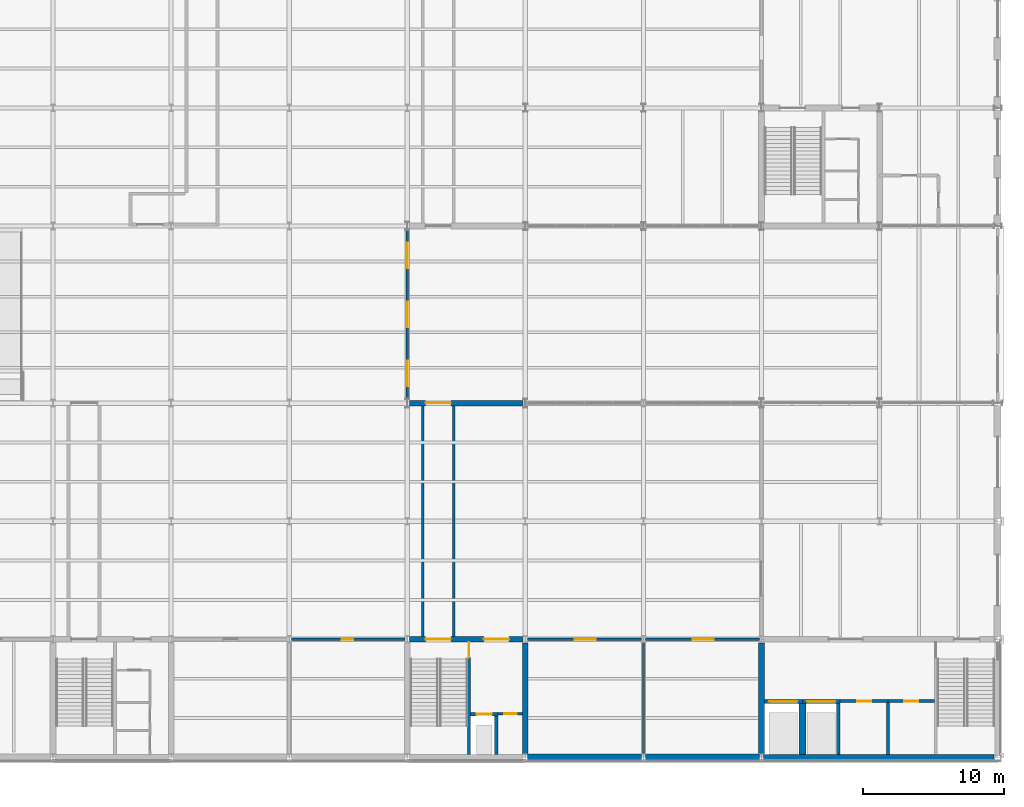
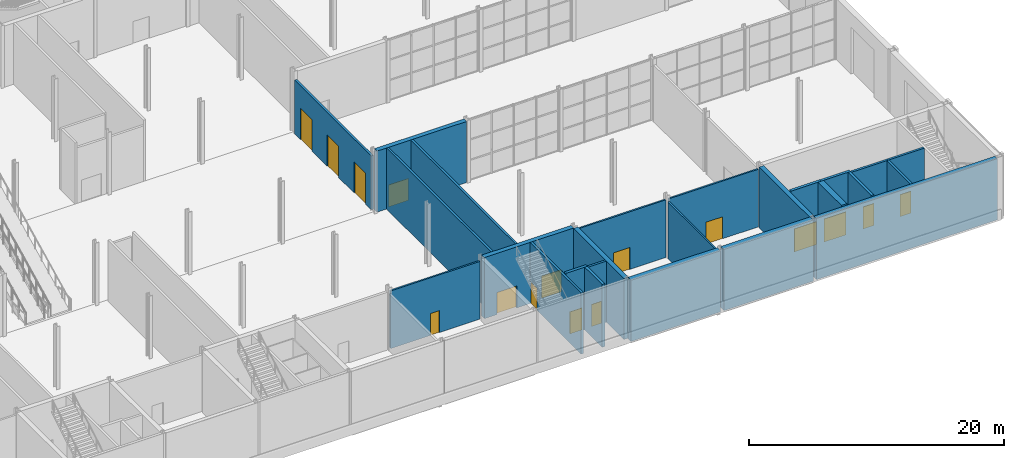
# One storey, part 34 of 55: 25 walls, 16 doors, 16 openings.
"""IFC4 building model written with IfcOpenShell, lengths in metres."""

import ifcopenshell
import ifcopenshell.guid

model = None  # the IFC model being written
_history = None  # IfcOwnerHistory: only IFC2X3 demands one
_inside = {}  # id of a spatial element -> (the spatial element, [elements in it])
_under = {}  # id of a project, library or spatial element -> (it, [spatial elements below it])
_declared = {}  # id of a project -> (the project, [libraries it declares])
_typed = {}  # id of a type object -> (the type object, [elements of that type])
_made_of = {}  # id of a material, layer set ... -> (it, [elements and type objects made of it])


def new_model(schema):
    """Start an empty IFC model of exactly this schema.

    Asked for "IFC4X3", IfcOpenShell would pick the latest addendum, in which some entities
    have other attributes; the version numbers below select the first issue.
    IFC2X3 requires an IfcOwnerHistory on every rooted entity: one is made here for all.
    """
    global model, _history
    if schema == "IFC4X3":
        model = ifcopenshell.file(schema_version=(4, 3, 0, 0))
    else:
        model = ifcopenshell.file(schema=schema)
    _inside.clear()
    _under.clear()
    _declared.clear()
    _typed.clear()
    _made_of.clear()
    _history = None
    if model.schema == "IFC2X3":
        org = make("IfcOrganization", Name="unknown")
        user = make(
            "IfcPersonAndOrganization",
            ThePerson=make("IfcPerson", FamilyName="unknown"),
            TheOrganization=org,
        )
        app = make(
            "IfcApplication",
            ApplicationDeveloper=org,
            Version="unknown",
            ApplicationFullName="unknown",
            ApplicationIdentifier="unknown",
        )
        _history = make(
            "IfcOwnerHistory",
            OwningUser=user,
            OwningApplication=app,
            ChangeAction="ADDED",
            CreationDate=0,
        )
    return model


def make(cls, **values):
    """One entity of the class cls with the attributes given. An attribute that is None is left unset."""
    return model.create_entity(
        cls, **{name: value for name, value in values.items() if value is not None}
    )


def rooted(cls, **values):
    """An entity with a GlobalId (a new one), such as an element, a storey or a relation."""
    return make(cls, GlobalId=ifcopenshell.guid.new(), OwnerHistory=_history, **values)


def si_unit(unit_type, name, prefix=None):
    """IfcSIUnit, for example si_unit("LENGTHUNIT", "METRE", prefix="MILLI")."""
    return make("IfcSIUnit", UnitType=unit_type, Prefix=prefix, Name=name)


def assignment(units):
    """IfcUnitAssignment: the units of a project."""
    return None if units is None else make("IfcUnitAssignment", Units=units)


def point(xyz):
    """IfcCartesianPoint."""
    return None if xyz is None else make("IfcCartesianPoint", Coordinates=xyz)


def direction(xyz):
    """IfcDirection."""
    return None if xyz is None else make("IfcDirection", DirectionRatios=xyz)


def frame(location, z_axis=None, x_axis=None):
    """IfcAxis2Placement3D, a coordinate frame: its origin and axes. An axis left out is left unset."""
    return make(
        "IfcAxis2Placement3D",
        Location=point(location),
        Axis=direction(z_axis),
        RefDirection=direction(x_axis),
    )


def frame_2d(location, x_axis=None):
    """IfcAxis2Placement2D, a coordinate frame in the plane: its origin and x axis."""
    return make(
        "IfcAxis2Placement2D", Location=point(location), RefDirection=direction(x_axis)
    )


def origin():
    """The frame at (0, 0, 0) with its axes left unset."""
    return frame((0.0, 0.0, 0.0))


def place(relative_to, where):
    """IfcLocalPlacement: puts the frame where relative to a parent placement (None: the world)."""
    return make(
        "IfcLocalPlacement", PlacementRelTo=relative_to, RelativePlacement=where
    )


def context(
    kind, dimensions, precision=None, world=None, true_north=None, identifier=None
):
    """IfcGeometricRepresentationContext, for example the 3D "Model" context."""
    return make(
        "IfcGeometricRepresentationContext",
        ContextIdentifier=identifier,
        ContextType=kind,
        CoordinateSpaceDimension=dimensions,
        Precision=precision,
        WorldCoordinateSystem=world,
        TrueNorth=true_north,
    )


def subcontext(parent, identifier, kind, view, scale=None):
    """IfcGeometricRepresentationSubContext, for example "Body" below "Model"."""
    return make(
        "IfcGeometricRepresentationSubContext",
        ContextIdentifier=identifier,
        ContextType=kind,
        ParentContext=parent,
        TargetScale=scale,
        TargetView=view,
    )


def project(units=None, contexts=None):
    """IfcProject with its units and contexts."""
    return rooted(
        "IfcProject",
        Name="project",
        RepresentationContexts=contexts,
        UnitsInContext=assignment(units),
    )


def spatial(cls, under=None, at=None, **own):
    """A site, building, storey or space (cls), placed at a placement, below another one or the project."""
    s = rooted(cls, ObjectPlacement=at, **own)
    if under is not None:
        _under.setdefault(under.id(), (under, []))[1].append(s)
    return s


def profile(cls, at=None, kind="AREA", **sizes):
    """A parametric profile (cls). Its sizes go by their IFC names, for example OverallWidth=200.0."""
    return make(cls, ProfileType=kind, Position=at, **sizes)


def rectangle(**sizes):
    """IfcRectangleProfileDef."""
    return profile("IfcRectangleProfileDef", **sizes)


def extrude(swept, where, along, depth):
    """IfcExtrudedAreaSolid: the profile swept, set in the frame where, extruded along a direction by depth."""
    return make(
        "IfcExtrudedAreaSolid",
        SweptArea=swept,
        Position=where,
        ExtrudedDirection=direction(along),
        Depth=depth,
    )


def shape(context_of_items, identifier, shape_type, items):
    """IfcShapeRepresentation: the items that make up one representation, for example the "Body"."""
    return make(
        "IfcShapeRepresentation",
        ContextOfItems=context_of_items,
        RepresentationIdentifier=identifier,
        RepresentationType=shape_type,
        Items=items,
    )


def material(Name=None, Category=None):
    """IfcMaterial."""
    return make("IfcMaterial", Name=Name, Category=Category)


def layer(
    of_material, thickness, ventilated=None, Name=None, Category=None, Priority=None
):
    """IfcMaterialLayer: one layer of a wall or slab, of a material (None: an air gap)."""
    return make(
        "IfcMaterialLayer",
        Material=of_material,
        LayerThickness=thickness,
        IsVentilated=ventilated,
        Name=Name,
        Category=Category,
        Priority=Priority,
    )


def layer_set(layers, Name=None):
    """IfcMaterialLayerSet."""
    return make("IfcMaterialLayerSet", MaterialLayers=layers, LayerSetName=Name)


def made_of(thing, what):
    """Note that an element or type object is made of a material, layer set ...; save() writes the relation."""
    if what is not None:
        _made_of.setdefault(what.id(), (what, []))[1].append(thing)
    return thing


def type_object(cls, material=None, **own):
    """A type object (cls), such as IfcWallType, which elements share."""
    return made_of(rooted(cls, **own), material)


def element(
    cls,
    number,
    at=None,
    inside=None,
    cuts=None,
    type_object=None,
    material=None,
    context=None,
    identifier="Body",
    shape_type=None,
    held_by="IfcProductDefinitionShape",
    body=None,
    shapes=None,
    **own,
):
    """One element of the class cls, such as IfcWall. Its Tag is "e" and its number.

    at: its placement. inside: the storey or other place that contains it. cuts: it is an
    opening in that element (IfcRelVoidsElement). A single representation is given by context,
    identifier, shape_type and body (its items); several are given by shapes. held_by: the class
    of the entity that holds the representations. save() writes the other relations.
    """
    e = rooted(cls, Tag="e%d" % number, ObjectPlacement=at, **own)
    if body is not None:
        shapes = [shape(context, identifier, shape_type, body)]
    if shapes is not None:
        e.Representation = make(held_by, Representations=shapes)
    if inside is not None:
        _inside.setdefault(inside.id(), (inside, []))[1].append(e)
    if cuts is not None:
        rooted(
            "IfcRelVoidsElement", RelatingBuildingElement=cuts, RelatedOpeningElement=e
        )
    if type_object is not None:
        _typed.setdefault(type_object.id(), (type_object, []))[1].append(e)
    return made_of(e, material)


def fill(opening, filler):
    """IfcRelFillsElement: the door or window that sits in an opening."""
    return rooted(
        "IfcRelFillsElement",
        RelatingOpeningElement=opening,
        RelatedBuildingElement=filler,
    )


def aggregate(whole, parts):
    """IfcRelAggregates: a whole, such as a stair, and the parts it consists of."""
    return rooted("IfcRelAggregates", RelatingObject=whole, RelatedObjects=parts)


def save(model, path):
    """Write the relations noted so far, then the file.

    IfcRelAggregates (storeys below a building ...), IfcRelContainedInSpatialStructure (elements
    in a storey), IfcRelDefinesByType, IfcRelAssociatesMaterial and IfcRelDeclares: one each for
    every whole, place, type object, material and project.
    """
    for whole, parts in _under.values():
        aggregate(whole, parts)
    for where, things in _inside.values():
        rooted(
            "IfcRelContainedInSpatialStructure",
            RelatedElements=things,
            RelatingStructure=where,
        )
    for kind, things in _typed.values():
        rooted("IfcRelDefinesByType", RelatedObjects=things, RelatingType=kind)
    for what, things in _made_of.values():
        rooted("IfcRelAssociatesMaterial", RelatedObjects=things, RelatingMaterial=what)
    for by, libraries in _declared.values():
        rooted("IfcRelDeclares", RelatingContext=by, RelatedDefinitions=libraries)
    model.write(path)


model = new_model("IFC4")

# Units and contexts
model_context = context("Model", 3, precision=1e-05, world=origin(), true_north=direction((0.0, 1.0)))
body_context = subcontext(model_context, "Body", "Model", "MODEL_VIEW")
ifc_project = project(units=[si_unit("LENGTHUNIT", "METRE"), si_unit("AREAUNIT", "SQUARE_METRE"), si_unit("VOLUMEUNIT", "CUBIC_METRE"), si_unit("PLANEANGLEUNIT", "RADIAN"), si_unit("MASSUNIT", "GRAM", prefix="KILO")], contexts=[model_context])

# Site, building, storey
site_placement = place(None, origin())
site = spatial("IfcSite", under=ifc_project, at=site_placement, CompositionType="ELEMENT")
building_placement = place(site_placement, origin())
building = spatial("IfcBuilding", under=site, at=building_placement, Name="Galleria Vessillo Department Store", CompositionType="ELEMENT")
storey_placement = place(building_placement, origin())
storey = spatial("IfcBuildingStorey", under=building, at=storey_placement, Name="L00", CompositionType="ELEMENT", Elevation=0.0)

# Wall, openings, doors
ifc_material_1 = material(Name="Aluminium frame with laminated glass 44.2", Category="aluminium")
ifc_layer_1 = layer(ifc_material_1, 0.199951171875)
ifc_layer_set_1 = layer_set([ifc_layer_1], Name="Aluminium frame with laminated glass 44.2")
wall_type_1 = type_object("IfcWallType", Name="Glazed screen frame wall 200 mm, internal", PredefinedType="STANDARD", material=ifc_layer_set_1)
wall_1_placement = place(storey_placement, frame((75.60009765625, 25.510009765625, 0.0), z_axis=(0.0, 0.0, 1.0), x_axis=(0.0, 1.0, 0.0)))
wall_1 = element("IfcWall", 1, at=wall_1_placement, inside=storey, type_object=wall_type_1, Name="Glazed screen frame wall 200 mm SCR-AE-L00-01", PredefinedType="STANDARD", context=body_context, shape_type="SweptSolid", body=[
    extrude(rectangle(XDim=11.97998046875, YDim=0.199951171875, at=frame_2d((5.989990234375, 0.0))), origin(), (0.0, 0.0, 1.0), 5.16015625),
])
opening_1_placement = place(wall_1_placement, frame((0.89013671875, 0.0, 0.0)))
opening_1 = element("IfcOpeningElement", 2, at=opening_1_placement, cuts=wall_1, Name="Opening DA-E1", PredefinedType="OPENING", context=body_context, shape_type="SweptSolid", body=[
    extrude(rectangle(XDim=1.800048828125, YDim=3.0, at=frame_2d((0.89990234375, 1.5))), frame((0.0, 0.10986328125, 0.0), z_axis=(0.0, -1.0, 0.0), x_axis=(1.0, 0.0, 0.0)), (0.0, 0.0, 1.0), 0.219970703125),
])
opening_2_placement = place(wall_1_placement, frame((5.090087890625, 0.0, 0.0)))
opening_2 = element("IfcOpeningElement", 3, at=opening_2_placement, cuts=wall_1, Name="Opening DA-E2", PredefinedType="OPENING", context=body_context, shape_type="SweptSolid", body=[
    extrude(rectangle(XDim=1.800048828125, YDim=3.0, at=frame_2d((0.89990234375, 1.5))), frame((0.0, 0.10986328125, 0.0), z_axis=(0.0, -1.0, 0.0), x_axis=(1.0, 0.0, 0.0)), (0.0, 0.0, 1.0), 0.219970703125),
])
opening_3_placement = place(wall_1_placement, frame((9.2900390625, 0.0, 0.0)))
opening_3 = element("IfcOpeningElement", 4, at=opening_3_placement, cuts=wall_1, Name="Opening DA-E3", PredefinedType="OPENING", context=body_context, shape_type="SweptSolid", body=[
    extrude(rectangle(XDim=1.800048828125, YDim=3.0, at=frame_2d((0.89990234375, 1.5))), frame((0.0, 0.10986328125, 0.0), z_axis=(0.0, -1.0, 0.0), x_axis=(1.0, 0.0, 0.0)), (0.0, 0.0, 1.0), 0.219970703125),
])
ifc_material_2 = material(Name="Aluminium frame with laminated glass 44.2", Category="aluminium")
door_type_1 = type_object("IfcDoorType", Name="Glazed double screen door 1800 x 3000", OperationType="DOUBLE_DOOR_SINGLE_SWING", PredefinedType="DOOR", material=ifc_material_2)
door_1_placement = place(opening_1_placement, origin())
door_1 = element("IfcDoor", 5, at=door_1_placement, inside=storey, type_object=door_type_1, Name="Glazed double screen door 1800 x 3000 DA-E1", OperationType="DOUBLE_DOOR_SINGLE_SWING", OverallHeight=3.0, OverallWidth=1.800048828125, PredefinedType="DOOR", context=body_context, shape_type="SweptSolid", body=[
    extrude(rectangle(XDim=1.800048828125, YDim=3.0, at=frame_2d((0.89990234375, 1.5))), frame((0.0, 0.02490234375, 0.0), z_axis=(0.0, -1.0, 0.0), x_axis=(1.0, 0.0, 0.0)), (0.0, 0.0, 1.0), 0.050048828125),
])
fill(opening_1, door_1)
door_2_placement = place(opening_2_placement, origin())
door_2 = element("IfcDoor", 6, at=door_2_placement, inside=storey, type_object=door_type_1, Name="Glazed double screen door 1800 x 3000 DA-E2", OperationType="DOUBLE_DOOR_SINGLE_SWING", OverallHeight=3.0, OverallWidth=1.800048828125, PredefinedType="DOOR", context=body_context, shape_type="SweptSolid", body=[
    extrude(rectangle(XDim=1.800048828125, YDim=3.0, at=frame_2d((0.89990234375, 1.5))), frame((0.0, 0.02490234375, 0.0), z_axis=(0.0, -1.0, 0.0), x_axis=(1.0, 0.0, 0.0)), (0.0, 0.0, 1.0), 0.050048828125),
])
fill(opening_2, door_2)
door_3_placement = place(opening_3_placement, origin())
door_3 = element("IfcDoor", 7, at=door_3_placement, inside=storey, type_object=door_type_1, Name="Glazed double screen door 1800 x 3000 DA-E3", OperationType="DOUBLE_DOOR_SINGLE_SWING", OverallHeight=3.0, OverallWidth=1.800048828125, PredefinedType="DOOR", context=body_context, shape_type="SweptSolid", body=[
    extrude(rectangle(XDim=1.800048828125, YDim=3.0, at=frame_2d((0.89990234375, 1.5))), frame((0.0, 0.02490234375, 0.0), z_axis=(0.0, -1.0, 0.0), x_axis=(1.0, 0.0, 0.0)), (0.0, 0.0, 1.0), 0.050048828125),
])
fill(opening_3, door_3)

# Wall
ifc_material_3 = material(Name="Solid clay block masonry", Category="masonry")
ifc_layer_2 = layer(ifc_material_3, 0.5)
ifc_layer_set_2 = layer_set([ifc_layer_2], Name="Solid clay block masonry")
wall_type_2 = type_object("IfcWallType", Name="Lift shaft partition wall 500 mm", PredefinedType="SOLIDWALL", material=ifc_layer_set_2)
wall_2_placement = place(storey_placement, frame((103.699951171875, 0.199951171875, 0.0), z_axis=(0.0, 0.0, 1.0), x_axis=(0.0, 1.0, 0.0)))
element("IfcWall", 8, at=wall_2_placement, inside=storey, type_object=wall_type_2, Name="Lift shaft partition wall GL1 L00", PredefinedType="SOLIDWALL", context=body_context, shape_type="SweptSolid", body=[
    extrude(rectangle(XDim=3.650146484375, YDim=0.5, at=frame_2d((1.8251953125, 0.0))), origin(), (0.0, 0.0, 1.0), 6.0),
])

# Wall, opening, door
ifc_material_4 = material(Name="Solid clay block masonry", Category="masonry")
ifc_layer_3 = layer(ifc_material_4, 0.25)
ifc_layer_set_3 = layer_set([ifc_layer_3], Name="Solid clay block masonry")
wall_type_3 = type_object("IfcWallType", Name="Lift shaft wall 250 mm", PredefinedType="SOLIDWALL", material=ifc_layer_set_3)
wall_3_placement = place(storey_placement, frame((80.10009765625, 3.074951171875, 0.0), z_axis=(0.0, 0.0, 1.0), x_axis=(1.0, 0.0, 0.0)))
wall_3 = element("IfcWall", 9, at=wall_3_placement, inside=storey, type_object=wall_type_3, Name="Lift shaft wall LP5 landing side L00", PredefinedType="SOLIDWALL", context=body_context, shape_type="SweptSolid", body=[
    extrude(rectangle(XDim=1.949951171875, YDim=0.25, at=frame_2d((0.97509765625, 0.0))), origin(), (0.0, 0.0, 1.0), 6.0),
])
opening_4_placement = place(wall_3_placement, frame((0.4248046875, 0.0, 0.0)))
opening_4 = element("IfcOpeningElement", 10, at=opening_4_placement, cuts=wall_3, Name="Opening LD035", PredefinedType="OPENING", context=body_context, shape_type="SweptSolid", body=[
    extrude(rectangle(XDim=1.10009765625, YDim=2.10009765625, at=frame_2d((0.550048828125, 1.050048828125))), frame((0.0, 0.135009765625, 0.0), z_axis=(0.0, -1.0, 0.0), x_axis=(1.0, 0.0, 0.0)), (0.0, 0.0, 1.0), 0.27001953125),
])
ifc_material_5 = material(Name="Stainless steel lift door panel", Category="steel")
door_type_2 = type_object("IfcDoorType", Name="Lift landing door LD110 sliding 1100 x 2100", OperationType="SLIDING_TO_LEFT", PredefinedType="DOOR", material=ifc_material_5)
door_4_placement = place(opening_4_placement, origin())
door_4 = element("IfcDoor", 11, at=door_4_placement, inside=storey, type_object=door_type_2, Name="Lift landing door LP5 L00", OperationType="SLIDING_TO_LEFT", OverallHeight=2.10009765625, OverallWidth=1.10009765625, PredefinedType="DOOR", context=body_context, shape_type="SweptSolid", body=[
    extrude(rectangle(XDim=1.10009765625, YDim=2.10009765625, at=frame_2d((0.550048828125, 1.050048828125))), frame((0.0, 0.02490234375, 0.0), z_axis=(0.0, -1.0, 0.0), x_axis=(1.0, 0.0, 0.0)), (0.0, 0.0, 1.0), 0.050048828125),
])
fill(opening_4, door_4)

# Wall
wall_4_placement = place(storey_placement, frame((81.925048828125, 0.199951171875, 0.0), z_axis=(0.0, 0.0, 1.0), x_axis=(0.0, 1.0, 0.0)))
element("IfcWall", 12, at=wall_4_placement, inside=storey, type_object=wall_type_3, Name="Lift shaft wall LP5 L00", PredefinedType="SOLIDWALL", context=body_context, shape_type="SweptSolid", body=[
    extrude(rectangle(XDim=2.75, YDim=0.25, at=frame_2d((1.375, 0.0))), origin(), (0.0, 0.0, 1.0), 6.0),
])

# Wall, opening, door
wall_5_placement = place(storey_placement, frame((101.0, 3.97509765625, 0.0), z_axis=(0.0, 0.0, 1.0), x_axis=(1.0, 0.0, 0.0)))
wall_5 = element("IfcWall", 13, at=wall_5_placement, inside=storey, type_object=wall_type_3, Name="Lift shaft wall GL1 landing side L00", PredefinedType="SOLIDWALL", context=body_context, shape_type="SweptSolid", body=[
    extrude(rectangle(XDim=2.699951171875, YDim=0.25, at=frame_2d((1.35009765625, 0.0))), origin(), (0.0, 0.0, 1.0), 6.0),
])
opening_5_placement = place(wall_5_placement, frame((0.35009765625, 0.0, 0.0)))
opening_5 = element("IfcOpeningElement", 14, at=opening_5_placement, cuts=wall_5, Name="Opening LD053", PredefinedType="OPENING", context=body_context, shape_type="SweptSolid", body=[
    extrude(rectangle(XDim=2.0, YDim=2.199951171875, at=frame_2d((1.0, 1.10009765625))), frame((0.0, 0.135009765625, 0.0), z_axis=(0.0, -1.0, 0.0), x_axis=(1.0, 0.0, 0.0)), (0.0, 0.0, 1.0), 0.27001953125),
])
ifc_material_6 = material(Name="Stainless steel lift door panel", Category="steel")
door_type_3 = type_object("IfcDoorType", Name="Lift landing door LD200 sliding 2000 x 2200", OperationType="DOUBLE_DOOR_SLIDING", PredefinedType="DOOR", material=ifc_material_6)
door_5_placement = place(opening_5_placement, origin())
door_5 = element("IfcDoor", 15, at=door_5_placement, inside=storey, type_object=door_type_3, Name="Lift landing door GL1 L00", OperationType="DOUBLE_DOOR_SLIDING", OverallHeight=2.199951171875, OverallWidth=2.0, PredefinedType="DOOR", context=body_context, shape_type="SweptSolid", body=[
    extrude(rectangle(XDim=2.0, YDim=2.199951171875, at=frame_2d((1.0, 1.10009765625))), frame((0.0, 0.02490234375, 0.0), z_axis=(0.0, -1.0, 0.0), x_axis=(1.0, 0.0, 0.0)), (0.0, 0.0, 1.0), 0.050048828125),
])
fill(opening_5, door_5)

wall_6_placement = place(storey_placement, frame((103.699951171875, 3.97509765625, 0.0), z_axis=(0.0, 0.0, 1.0), x_axis=(1.0, 0.0, 0.0)))
wall_6 = element("IfcWall", 16, at=wall_6_placement, inside=storey, type_object=wall_type_3, Name="Lift shaft wall GL2 landing side L00", PredefinedType="SOLIDWALL", context=body_context, shape_type="SweptSolid", body=[
    extrude(rectangle(XDim=2.699951171875, YDim=0.25, at=frame_2d((1.35009765625, 0.0))), origin(), (0.0, 0.0, 1.0), 6.0),
])
opening_6_placement = place(wall_6_placement, frame((0.35009765625, 0.0, 0.0)))
opening_6 = element("IfcOpeningElement", 17, at=opening_6_placement, cuts=wall_6, Name="Opening LD054", PredefinedType="OPENING", context=body_context, shape_type="SweptSolid", body=[
    extrude(rectangle(XDim=2.0, YDim=2.199951171875, at=frame_2d((1.0, 1.10009765625))), frame((0.0, 0.135009765625, 0.0), z_axis=(0.0, -1.0, 0.0), x_axis=(1.0, 0.0, 0.0)), (0.0, 0.0, 1.0), 0.27001953125),
])
door_6_placement = place(opening_6_placement, origin())
door_6 = element("IfcDoor", 18, at=door_6_placement, inside=storey, type_object=door_type_3, Name="Lift landing door GL2 L00", OperationType="DOUBLE_DOOR_SLIDING", OverallHeight=2.199951171875, OverallWidth=2.0, PredefinedType="DOOR", context=body_context, shape_type="SweptSolid", body=[
    extrude(rectangle(XDim=2.0, YDim=2.199951171875, at=frame_2d((1.0, 1.10009765625))), frame((0.0, 0.02490234375, 0.0), z_axis=(0.0, -1.0, 0.0), x_axis=(1.0, 0.0, 0.0)), (0.0, 0.0, 1.0), 0.050048828125),
])
fill(opening_6, door_6)

# Wall
wall_7_placement = place(storey_placement, frame((106.27490234375, 0.199951171875, 0.0), z_axis=(0.0, 0.0, 1.0), x_axis=(0.0, 1.0, 0.0)))
element("IfcWall", 19, at=wall_7_placement, inside=storey, type_object=wall_type_3, Name="Lift shaft wall GL2 L00", PredefinedType="SOLIDWALL", context=body_context, shape_type="SweptSolid", body=[
    extrude(rectangle(XDim=3.650146484375, YDim=0.25, at=frame_2d((1.8251953125, 0.0))), origin(), (0.0, 0.0, 1.0), 6.0),
])

# Wall, opening, door
ifc_material_7 = material(Name="Reinforced masonry, Ceppo di Gre units 80 MPa", Category="masonry")
ifc_layer_4 = layer(ifc_material_7, 0.39990234375)
ifc_layer_set_4 = layer_set([ifc_layer_4], Name="Reinforced masonry, Ceppo di Gre units 80 MPa")
wall_type_4 = type_object("IfcWallType", Name="Load-bearing Ceppo di Gre pier wall 400 mm, internal", PredefinedType="STANDARD", material=ifc_layer_set_4)
wall_8_placement = place(storey_placement, frame((75.752685546875, 25.199951171875, 0.0), z_axis=(0.0, 0.0, 1.0), x_axis=(1.0, 0.0, 0.0)))
wall_8 = element("IfcWall", 20, at=wall_8_placement, inside=storey, type_object=wall_type_4, Name="Load-bearing Ceppo di Gre pier wall 400 mm AI-BE-S-L00-01", PredefinedType="STANDARD", context=body_context, shape_type="SweptSolid", body=[
    extrude(rectangle(XDim=8.0947265625, YDim=0.39990234375, at=frame_2d((4.04736328125, 0.0))), origin(), (0.0, 0.0, 1.0), 5.85009765625),
])
opening_7_placement = place(wall_8_placement, frame((1.1474609375, 0.0, 0.0)))
opening_7 = element("IfcOpeningElement", 21, at=opening_7_placement, cuts=wall_8, Name="Opening D5355", PredefinedType="OPENING", context=body_context, shape_type="SweptSolid", body=[
    extrude(rectangle(XDim=1.800048828125, YDim=2.10009765625, at=frame_2d((0.89990234375, 1.050048828125))), frame((0.0, 0.2099609375, 0.0), z_axis=(0.0, -1.0, 0.0), x_axis=(1.0, 0.0, 0.0)), (0.0, 0.0, 1.0), 0.419921875),
])
ifc_material_8 = material(Name="Fire-rated steel door leaf", Category="steel")
door_type_4 = type_object("IfcDoorType", Name="Door D180F double leaf 1800 x 2100", OperationType="DOUBLE_DOOR_SINGLE_SWING", PredefinedType="DOOR", material=ifc_material_8)
door_7_placement = place(opening_7_placement, origin())
door_7 = element("IfcDoor", 22, at=door_7_placement, inside=storey, type_object=door_type_4, Name="Passage exit door XA-ST5", OperationType="DOUBLE_DOOR_SINGLE_SWING", OverallHeight=2.10009765625, OverallWidth=1.800048828125, PredefinedType="DOOR", context=body_context, shape_type="SweptSolid", body=[
    extrude(rectangle(XDim=1.800048828125, YDim=2.10009765625, at=frame_2d((0.89990234375, 1.050048828125))), frame((0.0, 0.02490234375, 0.0), z_axis=(0.0, -1.0, 0.0), x_axis=(1.0, 0.0, 0.0)), (0.0, 0.0, 1.0), 0.050048828125),
])
fill(opening_7, door_7)

# Walls
ifc_material_9 = material(Name="Solid clay block masonry", Category="masonry")
ifc_layer_5 = layer(ifc_material_9, 0.199951171875)
ifc_layer_set_5 = layer_set([ifc_layer_5], Name="Solid clay block masonry")
wall_type_5 = type_object("IfcWallType", Name="Protected exit passage wall 200 mm", PredefinedType="PARTITIONING", material=ifc_layer_set_5)
for number, where, z_axis, x_axis, name in (
    (23, (76.699951171875, 8.599853515625, 0.0), (0.0, 0.0, 1.0), (0.0, 1.0, 0.0), "Protected passage wall ST5"),
    (24, (78.900146484375, 8.599853515625, 0.0), (0.0, 0.0, 1.0), (0.0, 1.0, 0.0), "Protected passage wall ST5"),
):
    element("IfcWall", number, at=place(storey_placement, frame(where, z_axis=z_axis, x_axis=x_axis)), inside=storey, type_object=wall_type_5, Name=name, PredefinedType="PARTITIONING", context=body_context, shape_type="SweptSolid", body=[
        extrude(rectangle(XDim=16.400146484375, YDim=0.199951171875, at=frame_2d((8.2001953125, 0.0))), origin(), (0.0, 0.0, 1.0), 5.85009765625),
    ])

# Wall, openings, doors
ifc_material_10 = material(Name="Concrete C32/40 reinforced", Category="concrete")
ifc_layer_6 = layer(ifc_material_10, 0.39990234375)
ifc_layer_set_6 = layer_set([ifc_layer_6], Name="Concrete C32/40 reinforced")
wall_type_6 = type_object("IfcWallType", Name="Reinforced concrete core wall 400 mm", PredefinedType="SHEAR", material=ifc_layer_set_6)
wall_9_placement = place(storey_placement, frame((75.75, 8.39990234375, 0.0), z_axis=(0.0, 0.0, 1.0), x_axis=(1.0, 0.0, 0.0)))
wall_9 = element("IfcWall", 25, at=wall_9_placement, inside=storey, type_object=wall_type_6, Name="S-CW-PC-SE-INTERIOR-L00", PredefinedType="SHEAR", context=body_context, shape_type="SweptSolid", body=[
    extrude(rectangle(XDim=8.10009765625, YDim=0.39990234375, at=frame_2d((4.050048828125, 0.0))), origin(), (0.0, 0.0, 1.0), 5.85009765625),
])
opening_8_placement = place(wall_9_placement, frame((5.2998046875, 0.0, 0.0)))
opening_8 = element("IfcOpeningElement", 26, at=opening_8_placement, cuts=wall_9, Name="Opening D5137", PredefinedType="OPENING", context=body_context, shape_type="SweptSolid", body=[
    extrude(rectangle(XDim=1.800048828125, YDim=2.10009765625, at=frame_2d((0.89990234375, 1.050048828125))), frame((0.0, 0.2099609375, 0.0), z_axis=(0.0, -1.0, 0.0), x_axis=(1.0, 0.0, 0.0)), (0.0, 0.0, 1.0), 0.419921875),
])
opening_9_placement = place(wall_9_placement, frame((1.14990234375, 0.0, 0.0)))
opening_9 = element("IfcOpeningElement", 27, at=opening_9_placement, cuts=wall_9, Name="Opening D5345", PredefinedType="OPENING", context=body_context, shape_type="SweptSolid", body=[
    extrude(rectangle(XDim=1.800048828125, YDim=2.10009765625, at=frame_2d((0.89990234375, 1.050048828125))), frame((0.0, 0.2099609375, 0.0), z_axis=(0.0, -1.0, 0.0), x_axis=(1.0, 0.0, 0.0)), (0.0, 0.0, 1.0), 0.419921875),
])
door_8_placement = place(opening_8_placement, frame((1.800048828125, 0.0, 0.0), z_axis=(0.0, 0.0, 1.0), x_axis=(-1.0, 0.0, 0.0)))
door_8 = element("IfcDoor", 28, at=door_8_placement, inside=storey, type_object=door_type_4, Name="Lobby door PC-SE-LOBBY-FLOOR L00", OperationType="DOUBLE_DOOR_SINGLE_SWING", OverallHeight=2.10009765625, OverallWidth=1.800048828125, PredefinedType="DOOR", context=body_context, shape_type="SweptSolid", body=[
    extrude(rectangle(XDim=1.800048828125, YDim=2.10009765625, at=frame_2d((0.89990234375, 1.050048828125))), frame((0.0, 0.02490234375, 0.0), z_axis=(0.0, -1.0, 0.0), x_axis=(1.0, 0.0, 0.0)), (0.0, 0.0, 1.0), 0.050048828125),
])
fill(opening_8, door_8)
door_9_placement = place(opening_9_placement, origin())
door_9 = element("IfcDoor", 29, at=door_9_placement, inside=storey, type_object=door_type_4, Name="Stair exit door X-ST5", OperationType="DOUBLE_DOOR_SINGLE_SWING", OverallHeight=2.10009765625, OverallWidth=1.800048828125, PredefinedType="DOOR", context=body_context, shape_type="SweptSolid", body=[
    extrude(rectangle(XDim=1.800048828125, YDim=2.10009765625, at=frame_2d((0.89990234375, 1.050048828125))), frame((0.0, 0.02490234375, 0.0), z_axis=(0.0, -1.0, 0.0), x_axis=(1.0, 0.0, 0.0)), (0.0, 0.0, 1.0), 0.050048828125),
])
fill(opening_9, door_9)

# Walls
for number, where, z_axis, x_axis, name in (
    (30, (84.0, 0.25, 0.0), (0.0, 0.0, 1.0), (0.0, 1.0, 0.0), "S-CW-PC-SE-EAST-L00"),
    (31, (100.800048828125, 0.25, 0.0), (0.0, 0.0, 1.0), (0.0, 1.0, 0.0), "S-CW-GC-WEST-L00"),
):
    element("IfcWall", number, at=place(storey_placement, frame(where, z_axis=z_axis, x_axis=x_axis)), inside=storey, type_object=wall_type_6, Name=name, PredefinedType="SHEAR", context=body_context, shape_type="SweptSolid", body=[
        extrude(rectangle(XDim=7.89990234375, YDim=0.39990234375, at=frame_2d((3.949951171875, 0.0))), origin(), (0.0, 0.0, 1.0), 5.85009765625),
    ])
ifc_material_11 = material(Name="Concrete C32/40 reinforced", Category="concrete")
ifc_layer_7 = layer(ifc_material_11, 0.39990234375)
ifc_layer_set_7 = layer_set([ifc_layer_7], Name="Concrete C32/40 reinforced")
wall_type_7 = type_object("IfcWallType", Name="Reinforced concrete core wall 400 mm, external", PredefinedType="SHEAR", material=ifc_layer_set_7)
wall_10_placement = place(storey_placement, frame((100.949951171875, 0.0, 0.0), z_axis=(0.0, 0.0, 1.0), x_axis=(1.0, 0.0, 0.0)))
element("IfcWall", 32, at=wall_10_placement, inside=storey, type_object=wall_type_7, Name="S-CW-GC-PARTY-L00", PredefinedType="SHEAR", context=body_context, shape_type="SweptSolid", body=[
    extrude(rectangle(XDim=16.400146484375, YDim=0.39990234375, at=frame_2d((8.2001953125, 0.0))), origin(), (0.0, 0.0, 1.0), 5.85009765625),
])
ifc_material_12 = material(Name="Concrete C32/40 reinforced", Category="concrete")
ifc_layer_8 = layer(ifc_material_12, 0.5)
ifc_layer_set_8 = layer_set([ifc_layer_8], Name="Concrete C32/40 reinforced")
wall_type_8 = type_object("IfcWallType", Name="Reinforced concrete party wall 500 mm", PredefinedType="SHEAR", material=ifc_layer_set_8)
wall_11_placement = place(storey_placement, frame((84.14990234375, 0.0, 0.0), z_axis=(0.0, 0.0, 1.0), x_axis=(1.0, 0.0, 0.0)))
element("IfcWall", 33, at=wall_11_placement, inside=storey, type_object=wall_type_8, Name="S-PS-L00-07", PredefinedType="SHEAR", context=body_context, shape_type="SweptSolid", body=[
    extrude(rectangle(XDim=8.10009765625, YDim=0.5, at=frame_2d((4.050048828125, 0.0))), origin(), (0.0, 0.0, 1.0), 5.85009765625),
])
wall_12_placement = place(storey_placement, frame((92.5498046875, 0.0, 0.0), z_axis=(0.0, 0.0, 1.0), x_axis=(1.0, 0.0, 0.0)))
element("IfcWall", 34, at=wall_12_placement, inside=storey, type_object=wall_type_8, Name="S-PS-L00-08", PredefinedType="SHEAR", context=body_context, shape_type="SweptSolid", body=[
    extrude(rectangle(XDim=8.100341796875, YDim=0.5, at=frame_2d((4.05029296875, 0.0))), origin(), (0.0, 0.0, 1.0), 5.85009765625),
])

# Wall, opening, door
ifc_material_13 = material(Name="Concrete C32/40 reinforced", Category="concrete")
ifc_layer_9 = layer(ifc_material_13, 0.199951171875)
ifc_layer_set_9 = layer_set([ifc_layer_9], Name="Concrete C32/40 reinforced")
wall_type_9 = type_object("IfcWallType", Name="Reinforced concrete stair enclosure wall 200 mm", PredefinedType="SHEAR", material=ifc_layer_set_9)
wall_13_placement = place(storey_placement, frame((80.0, 0.199951171875, 0.0), z_axis=(0.0, 0.0, 1.0), x_axis=(0.0, 1.0, 0.0)))
wall_13 = element("IfcWall", 35, at=wall_13_placement, inside=storey, type_object=wall_type_9, Name="Stair enclosure wall PC-SE L00", PredefinedType="SHEAR", context=body_context, shape_type="SweptSolid", body=[
    extrude(rectangle(XDim=8.0, YDim=0.199951171875, at=frame_2d((4.0, 0.0))), origin(), (0.0, 0.0, 1.0), 5.85009765625),
])
opening_10_placement = place(wall_13_placement, frame((6.89990234375, 0.0, 0.0)))
opening_10 = element("IfcOpeningElement", 36, at=opening_10_placement, cuts=wall_13, Name="Opening D5135", PredefinedType="OPENING", context=body_context, shape_type="SweptSolid", body=[
    extrude(rectangle(XDim=1.11009765625, YDim=2.10009765625, at=frame_2d((0.554931640625, 1.050048828125))), frame((0.0, 0.10986328125, 0.0), z_axis=(0.0, -1.0, 0.0), x_axis=(1.0, 0.0, 0.0)), (0.0, 0.0, 1.0), 0.219970703125),
])
ifc_material_14 = material(Name="Fire-rated steel door leaf", Category="steel")
door_type_5 = type_object("IfcDoorType", Name="Door D110F stair door 1100 x 2100", OperationType="SINGLE_SWING_LEFT", PredefinedType="DOOR", material=ifc_material_14)
door_10_placement = place(opening_10_placement, frame((1.10009765625, 0.0, 0.0), z_axis=(0.0, 0.0, 1.0), x_axis=(-1.0, 0.0, 0.0)))
door_10 = element("IfcDoor", 37, at=door_10_placement, inside=storey, type_object=door_type_5, Name="Stair door PC-SE-ST-LOBBY L00", OperationType="SINGLE_SWING_LEFT", OverallHeight=2.10009765625, OverallWidth=1.10009765625, PredefinedType="DOOR", context=body_context, shape_type="SweptSolid", body=[
    extrude(rectangle(XDim=1.10009765625, YDim=2.10009765625, at=frame_2d((0.550048828125, 1.050048828125))), frame((0.0, 0.02490234375, 0.0), z_axis=(0.0, -1.0, 0.0), x_axis=(1.0, 0.0, 0.0)), (0.0, 0.0, 1.0), 0.050048828125),
])
fill(opening_10, door_10)

ifc_material_15 = material(Name="Hollow clay block masonry", Category="masonry")
ifc_layer_10 = layer(ifc_material_15, 0.199951171875)
ifc_layer_set_10 = layer_set([ifc_layer_10], Name="Hollow clay block masonry")
wall_type_10 = type_object("IfcWallType", Name="Riser and service room wall 200 mm", PredefinedType="PARTITIONING", material=ifc_layer_set_10)
wall_14_placement = place(storey_placement, frame((82.050048828125, 3.099853515625, 0.0), z_axis=(0.0, 0.0, 1.0), x_axis=(1.0, 0.0, 0.0)))
wall_14 = element("IfcWall", 38, at=wall_14_placement, inside=storey, type_object=wall_type_10, Name="Riser wall PC-SE-RISER L00", PredefinedType="PARTITIONING", context=body_context, shape_type="SweptSolid", body=[
    extrude(rectangle(XDim=1.75, YDim=0.199951171875, at=frame_2d((0.875, 0.0))), origin(), (0.0, 0.0, 1.0), 5.85009765625),
])
opening_11_placement = place(wall_14_placement, frame((0.449951171875, 0.0, 0.0)))
opening_11 = element("IfcOpeningElement", 39, at=opening_11_placement, cuts=wall_14, Name="Opening D5136", PredefinedType="OPENING", context=body_context, shape_type="SweptSolid", body=[
    extrude(rectangle(XDim=0.89990234375, YDim=2.10009765625, at=frame_2d((0.449951171875, 1.050048828125))), frame((0.0, 0.10986328125, 0.0), z_axis=(0.0, -1.0, 0.0), x_axis=(1.0, 0.0, 0.0)), (0.0, 0.0, 1.0), 0.219970703125),
])
ifc_material_16 = material(Name="Fire-rated steel door leaf", Category="steel")
door_type_6 = type_object("IfcDoorType", Name="Door DR90 riser access 900 x 2100", OperationType="SINGLE_SWING_LEFT", PredefinedType="DOOR", material=ifc_material_16)
door_11_placement = place(opening_11_placement, frame((0.89990234375, 0.0, 0.0), z_axis=(0.0, 0.0, 1.0), x_axis=(-1.0, 0.0, 0.0)))
door_11 = element("IfcDoor", 40, at=door_11_placement, inside=storey, type_object=door_type_6, Name="Riser door PC-SE-RISER-D L00", OperationType="SINGLE_SWING_LEFT", OverallHeight=2.10009765625, OverallWidth=0.89990234375, PredefinedType="DOOR", context=body_context, shape_type="SweptSolid", body=[
    extrude(rectangle(XDim=0.89990234375, YDim=2.10009765625, at=frame_2d((0.449951171875, 1.050048828125))), frame((0.0, 0.02490234375, 0.0), z_axis=(0.0, -1.0, 0.0), x_axis=(1.0, 0.0, 0.0)), (0.0, 0.0, 1.0), 0.050048828125),
])
fill(opening_11, door_11)

wall_15_placement = place(storey_placement, frame((106.39990234375, 4.0, 0.0), z_axis=(0.0, 0.0, 1.0), x_axis=(1.0, 0.0, 0.0)))
wall_15 = element("IfcWall", 41, at=wall_15_placement, inside=storey, type_object=wall_type_10, Name="Service room wall GC-SERVICE-1 L00", PredefinedType="PARTITIONING", context=body_context, shape_type="SweptSolid", body=[
    extrude(rectangle(XDim=3.400146484375, YDim=0.199951171875, at=frame_2d((1.7001953125, 0.0))), origin(), (0.0, 0.0, 1.0), 5.85009765625),
])
opening_12_placement = place(wall_15_placement, frame((1.2001953125, 0.0, 0.0)))
opening_12 = element("IfcOpeningElement", 42, at=opening_12_placement, cuts=wall_15, Name="Opening D5230", PredefinedType="OPENING", context=body_context, shape_type="SweptSolid", body=[
    extrude(rectangle(XDim=1.0, YDim=2.10009765625, at=frame_2d((0.5, 1.050048828125))), frame((0.0, 0.10986328125, 0.0), z_axis=(0.0, -1.0, 0.0), x_axis=(1.0, 0.0, 0.0)), (0.0, 0.0, 1.0), 0.219970703125),
])
ifc_material_17 = material(Name="Fire-rated steel door leaf", Category="steel")
door_type_7 = type_object("IfcDoorType", Name="Door D100 service room 1000 x 2100", OperationType="SINGLE_SWING_LEFT", PredefinedType="DOOR", material=ifc_material_17)
door_12_placement = place(opening_12_placement, frame((1.0, 0.0, 0.0), z_axis=(0.0, 0.0, 1.0), x_axis=(-1.0, 0.0, 0.0)))
door_12 = element("IfcDoor", 43, at=door_12_placement, inside=storey, type_object=door_type_7, Name="Service room door GC-SERVICE-1 L00", OperationType="SINGLE_SWING_LEFT", OverallHeight=2.10009765625, OverallWidth=1.0, PredefinedType="DOOR", context=body_context, shape_type="SweptSolid", body=[
    extrude(rectangle(XDim=1.0, YDim=2.10009765625, at=frame_2d((0.5, 1.050048828125))), frame((0.0, 0.02490234375, 0.0), z_axis=(0.0, -1.0, 0.0), x_axis=(1.0, 0.0, 0.0)), (0.0, 0.0, 1.0), 0.050048828125),
])
fill(opening_12, door_12)

# Wall
wall_16_placement = place(storey_placement, frame((109.800048828125, 0.199951171875, 0.0), z_axis=(0.0, 0.0, 1.0), x_axis=(0.0, 1.0, 0.0)))
element("IfcWall", 44, at=wall_16_placement, inside=storey, type_object=wall_type_10, Name="Service room partition GC L00", PredefinedType="PARTITIONING", context=body_context, shape_type="SweptSolid", body=[
    extrude(rectangle(XDim=3.7001953125, YDim=0.199951171875, at=frame_2d((1.85009765625, 0.0))), origin(), (0.0, 0.0, 1.0), 5.85009765625),
])

# Wall, opening, door
wall_17_placement = place(storey_placement, frame((109.800048828125, 4.0, 0.0), z_axis=(0.0, 0.0, 1.0), x_axis=(1.0, 0.0, 0.0)))
wall_17 = element("IfcWall", 45, at=wall_17_placement, inside=storey, type_object=wall_type_10, Name="Service room wall GC-SERVICE-2 L00", PredefinedType="PARTITIONING", context=body_context, shape_type="SweptSolid", body=[
    extrude(rectangle(XDim=3.300048828125, YDim=0.199951171875, at=frame_2d((1.64990234375, 0.0))), origin(), (0.0, 0.0, 1.0), 5.85009765625),
])
opening_13_placement = place(wall_17_placement, frame((1.14990234375, 0.0, 0.0)))
opening_13 = element("IfcOpeningElement", 46, at=opening_13_placement, cuts=wall_17, Name="Opening D5231", PredefinedType="OPENING", context=body_context, shape_type="SweptSolid", body=[
    extrude(rectangle(XDim=1.0, YDim=2.10009765625, at=frame_2d((0.5, 1.050048828125))), frame((0.0, 0.10986328125, 0.0), z_axis=(0.0, -1.0, 0.0), x_axis=(1.0, 0.0, 0.0)), (0.0, 0.0, 1.0), 0.219970703125),
])
door_13_placement = place(opening_13_placement, frame((1.0, 0.0, 0.0), z_axis=(0.0, 0.0, 1.0), x_axis=(-1.0, 0.0, 0.0)))
door_13 = element("IfcDoor", 47, at=door_13_placement, inside=storey, type_object=door_type_7, Name="Service room door GC-SERVICE-2 L00", OperationType="SINGLE_SWING_RIGHT", OverallHeight=2.10009765625, OverallWidth=1.0, PredefinedType="DOOR", context=body_context, shape_type="SweptSolid", body=[
    extrude(rectangle(XDim=1.0, YDim=2.10009765625, at=frame_2d((0.5, 1.050048828125))), frame((0.0, 0.02490234375, 0.0), z_axis=(0.0, -1.0, 0.0), x_axis=(1.0, 0.0, 0.0)), (0.0, 0.0, 1.0), 0.050048828125),
])
fill(opening_13, door_13)

ifc_material_18 = material(Name="Concrete blockwork", Category="masonry")
ifc_layer_11 = layer(ifc_material_18, 0.14990234375)
ifc_layer_set_11 = layer_set([ifc_layer_11], Name="Concrete blockwork")
wall_type_11 = type_object("IfcWallType", Name="Stockroom blockwork wall 150 mm", PredefinedType="SOLIDWALL", material=ifc_layer_set_11)
wall_18_placement = place(storey_placement, frame((67.349853515625, 8.39990234375, 0.0), z_axis=(0.0, 0.0, 1.0), x_axis=(1.0, 0.0, 0.0)))
wall_18 = element("IfcWall", 48, at=wall_18_placement, inside=storey, type_object=wall_type_11, Name="Partition wall PT4 on L00 no. 025", PredefinedType="SOLIDWALL", context=body_context, shape_type="SweptSolid", body=[
    extrude(rectangle(XDim=8.100341796875, YDim=0.14990234375, at=frame_2d((4.05029296875, 0.0))), origin(), (0.0, 0.0, 1.0), 5.52001953125),
])
opening_14_placement = place(wall_18_placement, frame((3.60009765625, 0.0, 0.0)))
opening_14 = element("IfcOpeningElement", 49, at=opening_14_placement, cuts=wall_18, Name="Opening D2214", PredefinedType="OPENING", context=body_context, shape_type="SweptSolid", body=[
    extrude(rectangle(XDim=0.800048828125, YDim=2.10009765625, at=frame_2d((0.39990234375, 1.050048828125))), frame((0.0, 0.0849609375, 0.0), z_axis=(0.0, -1.0, 0.0), x_axis=(1.0, 0.0, 0.0)), (0.0, 0.0, 1.0), 0.169921875),
])
ifc_material_19 = material(Name="Steel fire door leaf", Category="steel")
door_type_8 = type_object("IfcDoorType", Name="Fire door 800 staff door", OperationType="SINGLE_SWING_LEFT", PredefinedType="DOOR", material=ifc_material_19)
door_14_placement = place(opening_14_placement, frame((0.800048828125, 0.0, 0.0), z_axis=(0.0, 0.0, 1.0), x_axis=(-1.0, 0.0, 0.0)))
door_14 = element("IfcDoor", 50, at=door_14_placement, inside=storey, type_object=door_type_8, Name="Door D2214", OperationType="SINGLE_SWING_LEFT", OverallHeight=2.10009765625, OverallWidth=0.800048828125, PredefinedType="DOOR", context=body_context, shape_type="SweptSolid", body=[
    extrude(rectangle(XDim=0.800048828125, YDim=2.10009765625, at=frame_2d((0.39990234375, 1.050048828125))), frame((0.0, 0.02490234375, 0.0), z_axis=(0.0, -1.0, 0.0), x_axis=(1.0, 0.0, 0.0)), (0.0, 0.0, 1.0), 0.050048828125),
])
fill(opening_14, door_14)

# Wall
wall_19_placement = place(storey_placement, frame((92.39990234375, 0.25, 0.0), z_axis=(0.0, 0.0, 1.0), x_axis=(0.0, 1.0, 0.0)))
element("IfcWall", 51, at=wall_19_placement, inside=storey, type_object=wall_type_11, Name="Partition wall PT4 on L00 no. 026", PredefinedType="SOLIDWALL", context=body_context, shape_type="SweptSolid", body=[
    extrude(rectangle(XDim=7.89990234375, YDim=0.14990234375, at=frame_2d((3.949951171875, 0.0))), origin(), (0.0, 0.0, 1.0), 5.41015625),
])

# Wall, opening, door
wall_20_placement = place(storey_placement, frame((84.14990234375, 8.39990234375, 0.0), z_axis=(0.0, 0.0, 1.0), x_axis=(1.0, 0.0, 0.0)))
wall_20 = element("IfcWall", 52, at=wall_20_placement, inside=storey, type_object=wall_type_11, Name="Partition wall PT4 on L00 no. 027", PredefinedType="SOLIDWALL", context=body_context, shape_type="SweptSolid", body=[
    extrude(rectangle(XDim=8.10009765625, YDim=0.14990234375, at=frame_2d((4.050048828125, 0.0))), origin(), (0.0, 0.0, 1.0), 5.52001953125),
])
opening_15_placement = place(wall_20_placement, frame((3.35009765625, 0.0, 0.0)))
opening_15 = element("IfcOpeningElement", 53, at=opening_15_placement, cuts=wall_20, Name="Opening D2215", PredefinedType="OPENING", context=body_context, shape_type="SweptSolid", body=[
    extrude(rectangle(XDim=1.5, YDim=2.10009765625, at=frame_2d((0.75, 1.050048828125))), frame((0.0, 0.0849609375, 0.0), z_axis=(0.0, -1.0, 0.0), x_axis=(1.0, 0.0, 0.0)), (0.0, 0.0, 1.0), 0.169921875),
])
ifc_material_20 = material(Name="Steel fire door leaf", Category="steel")
door_type_9 = type_object("IfcDoorType", Name="Stockroom fire door 1500 double leaf", OperationType="DOUBLE_DOOR_SINGLE_SWING", PredefinedType="DOOR", material=ifc_material_20)
door_15_placement = place(opening_15_placement, frame((1.5, 0.0, 0.0), z_axis=(0.0, 0.0, 1.0), x_axis=(-1.0, 0.0, 0.0)))
door_15 = element("IfcDoor", 54, at=door_15_placement, inside=storey, type_object=door_type_9, Name="Door D2215", OperationType="DOUBLE_DOOR_SINGLE_SWING", OverallHeight=2.10009765625, OverallWidth=1.5, PredefinedType="DOOR", context=body_context, shape_type="SweptSolid", body=[
    extrude(rectangle(XDim=1.5, YDim=2.10009765625, at=frame_2d((0.75, 1.050048828125))), frame((0.0, 0.02490234375, 0.0), z_axis=(0.0, -1.0, 0.0), x_axis=(1.0, 0.0, 0.0)), (0.0, 0.0, 1.0), 0.050048828125),
])
fill(opening_15, door_15)

wall_21_placement = place(storey_placement, frame((92.5498046875, 8.39990234375, 0.0), z_axis=(0.0, 0.0, 1.0), x_axis=(1.0, 0.0, 0.0)))
wall_21 = element("IfcWall", 55, at=wall_21_placement, inside=storey, type_object=wall_type_11, Name="Partition wall PT4 on L00 no. 028", PredefinedType="SOLIDWALL", context=body_context, shape_type="SweptSolid", body=[
    extrude(rectangle(XDim=8.100341796875, YDim=0.14990234375, at=frame_2d((4.05029296875, 0.0))), origin(), (0.0, 0.0, 1.0), 5.52001953125),
])
opening_16_placement = place(wall_21_placement, frame((3.35009765625, 0.0, 0.0)))
opening_16 = element("IfcOpeningElement", 56, at=opening_16_placement, cuts=wall_21, Name="Opening D2216", PredefinedType="OPENING", context=body_context, shape_type="SweptSolid", body=[
    extrude(rectangle(XDim=1.5, YDim=2.10009765625, at=frame_2d((0.75, 1.050048828125))), frame((0.0, 0.0849609375, 0.0), z_axis=(0.0, -1.0, 0.0), x_axis=(1.0, 0.0, 0.0)), (0.0, 0.0, 1.0), 0.169921875),
])
door_16_placement = place(opening_16_placement, frame((1.5, 0.0, 0.0), z_axis=(0.0, 0.0, 1.0), x_axis=(-1.0, 0.0, 0.0)))
door_16 = element("IfcDoor", 57, at=door_16_placement, inside=storey, type_object=door_type_9, Name="Door D2216", OperationType="DOUBLE_DOOR_SINGLE_SWING", OverallHeight=2.10009765625, OverallWidth=1.5, PredefinedType="DOOR", context=body_context, shape_type="SweptSolid", body=[
    extrude(rectangle(XDim=1.5, YDim=2.10009765625, at=frame_2d((0.75, 1.050048828125))), frame((0.0, 0.02490234375, 0.0), z_axis=(0.0, -1.0, 0.0), x_axis=(1.0, 0.0, 0.0)), (0.0, 0.0, 1.0), 0.050048828125),
])
fill(opening_16, door_16)

save(model, "model.ifc")
